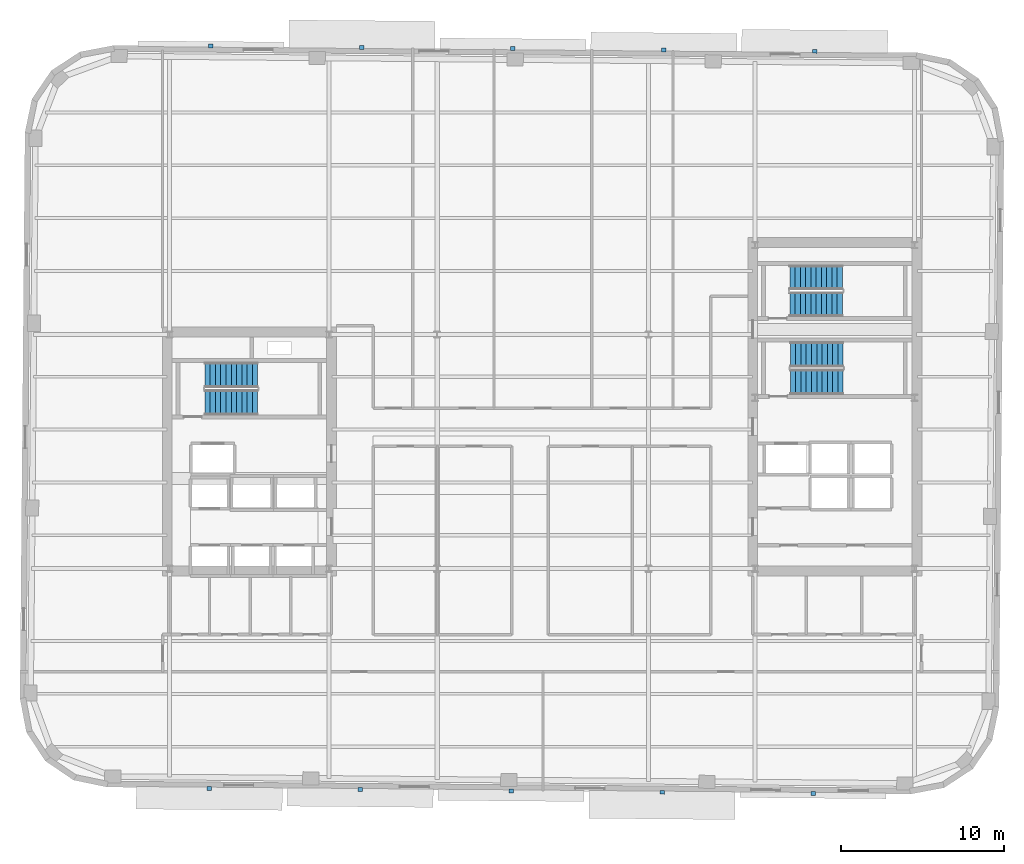
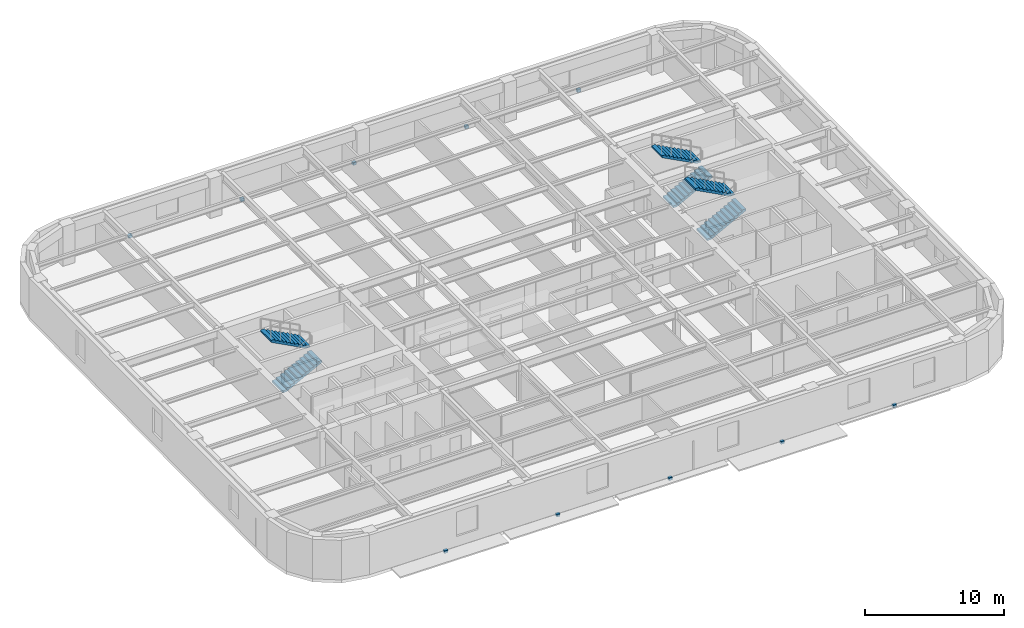
# One storey, part 7 of 11: 10 discrete accessories, 6 stair flights, 3 elements without a shape of their own.
"""IFC4 building model written with IfcOpenShell, lengths in metres."""

from ifc_helpers import new_model, si_unit, direction, frame, origin, origin_2d, place, context, subcontext, project, spatial, polyline, rectangle, outline, extrude, material, type_object, element, aggregate, save


model = new_model("IFC4")

# Units and contexts
model_context = context("Model", 3, precision=1e-05, world=origin(), true_north=direction((0.0, 1.0)))
body_context = subcontext(model_context, "Body", "Model", "MODEL_VIEW")
ifc_project = project(units=[si_unit("LENGTHUNIT", "METRE"), si_unit("AREAUNIT", "SQUARE_METRE"), si_unit("VOLUMEUNIT", "CUBIC_METRE"), si_unit("PLANEANGLEUNIT", "RADIAN"), si_unit("MASSUNIT", "GRAM", prefix="KILO")], contexts=[model_context])

# Site, building, storey
site_placement = place(None, origin())
site = spatial("IfcSite", under=ifc_project, at=site_placement, CompositionType="ELEMENT")
building_placement = place(site_placement, origin())
building = spatial("IfcBuilding", under=site, at=building_placement, Name="Kolvaren Arena Tower", CompositionType="ELEMENT")
storey_placement = place(building_placement, frame((0.0, 0.0, 180.949951171875)))
storey = spatial("IfcBuildingStorey", under=building, at=storey_placement, Name="L43", CompositionType="ELEMENT", Elevation=180.949951171875)

# Stair, stair flights
ifc_material_1 = material(Name="Concrete 45 MPa", Category="concrete")
stair_type_1 = type_object("IfcStairType", Name="STAIR-CORE-150", PredefinedType="HALF_TURN_STAIR", material=ifc_material_1)
stair_1_placement = place(storey_placement, origin())
stair_1 = element("IfcStair", 1, at=stair_1_placement, inside=storey, type_object=stair_type_1, Name="L43 ST-E2", PredefinedType="HALF_TURN_STAIR")
stair_flight_type_1 = type_object("IfcStairFlightType", Name="FLT-150", PredefinedType="STRAIGHT", material=ifc_material_1)
stair_flight_1_placement = place(storey_placement, frame((52.679931640625, 35.699951171875, 0.0), z_axis=(0.0, 0.0, 1.0), x_axis=(1.0, 0.0, 0.0)))
stair_flight_1 = element("IfcStairFlight", 2, at=stair_flight_1_placement, type_object=stair_flight_type_1, Name="ST-E2 flight 1", NumberOfRisers=11, NumberOfTreads=10, PredefinedType="STRAIGHT", RiserHeight=0.170454545, TreadLength=0.324, context=body_context, shape_type="SweptSolid", body=[
    extrude(outline(polyline([(0.0, 0.0), (0.0, 0.17041015625), (0.323974609375, 0.17041015625), (0.323974609375, 0.3408203125), (0.64794921875, 0.3408203125), (0.64794921875, 0.511474609375), (0.971923828125, 0.511474609375), (0.971923828125, 0.681884765625), (1.2958984375, 0.681884765625), (1.2958984375, 0.852294921875), (1.6201171875, 0.852294921875), (1.6201171875, 1.022705078125), (1.944091796875, 1.022705078125), (1.944091796875, 1.193115234375), (2.26806640625, 1.193115234375), (2.26806640625, 1.363525390625), (2.592041015625, 1.363525390625), (2.592041015625, 1.5341796875), (2.916015625, 1.5341796875), (2.916015625, 1.70458984375), (3.239990234375, 1.70458984375), (3.239990234375, 1.875), (3.239990234375, 1.53515625), (0.322021484375, 0.0), (0.0, 0.0)])), frame((0.0, 0.75, 0.0), z_axis=(0.0, -1.0, 0.0), x_axis=(1.0, 0.0, 0.0)), (0.0, 0.0, 1.0), 1.5),
])
stair_flight_2_placement = place(storey_placement, frame((55.919921875, 37.35009765625, 1.875), z_axis=(0.0, 0.0, 1.0), x_axis=(-1.0, 0.0, 0.0)))
stair_flight_2 = element("IfcStairFlight", 3, at=stair_flight_2_placement, type_object=stair_flight_type_1, Name="ST-E2 flight 2", NumberOfRisers=11, NumberOfTreads=10, PredefinedType="STRAIGHT", RiserHeight=0.170454545, TreadLength=0.324, context=body_context, shape_type="SweptSolid", body=[
    extrude(outline(polyline([(0.0, 0.0), (0.0, 0.17041015625), (0.323974609375, 0.17041015625), (0.323974609375, 0.3408203125), (0.64794921875, 0.3408203125), (0.64794921875, 0.511474609375), (0.971923828125, 0.511474609375), (0.971923828125, 0.681884765625), (1.2958984375, 0.681884765625), (1.2958984375, 0.852294921875), (1.6201171875, 0.852294921875), (1.6201171875, 1.022705078125), (1.944091796875, 1.022705078125), (1.944091796875, 1.193115234375), (2.26806640625, 1.193115234375), (2.26806640625, 1.363525390625), (2.592041015625, 1.363525390625), (2.592041015625, 1.5341796875), (2.916015625, 1.5341796875), (2.916015625, 1.70458984375), (3.239990234375, 1.70458984375), (3.239990234375, 1.875), (3.239990234375, 1.53515625), (0.322021484375, 0.0), (0.0, 0.0)])), frame((0.0, 0.75, 0.0), z_axis=(0.0, -1.0, 0.0), x_axis=(1.0, 0.0, 0.0)), (0.0, 0.0, 1.0), 1.5),
])
aggregate(stair_1, [stair_flight_1, stair_flight_2])

stair_type_2 = type_object("IfcStairType", Name="STAIR-CORE-165", PredefinedType="HALF_TURN_STAIR", material=ifc_material_1)
stair_2_placement = place(storey_placement, origin())
stair_2 = element("IfcStair", 4, at=stair_2_placement, inside=storey, type_object=stair_type_2, Name="L43 ST-W1", PredefinedType="HALF_TURN_STAIR")
stair_flight_type_2 = type_object("IfcStairFlightType", Name="FLT-165", PredefinedType="STRAIGHT", material=ifc_material_1)
stair_flight_3_placement = place(storey_placement, frame((16.719970703125, 29.669921875, 0.0), z_axis=(0.0, 0.0, 1.0), x_axis=(1.0, 0.0, 0.0)))
stair_flight_3 = element("IfcStairFlight", 5, at=stair_flight_3_placement, type_object=stair_flight_type_2, Name="ST-W1 flight 1", NumberOfRisers=11, NumberOfTreads=10, PredefinedType="STRAIGHT", RiserHeight=0.170454545, TreadLength=0.324, context=body_context, shape_type="SweptSolid", body=[
    extrude(outline(polyline([(0.0, 0.0), (0.0, 0.17041015625), (0.323974609375, 0.17041015625), (0.323974609375, 0.3408203125), (0.64794921875, 0.3408203125), (0.64794921875, 0.511474609375), (0.971923828125, 0.511474609375), (0.971923828125, 0.681884765625), (1.2958984375, 0.681884765625), (1.2958984375, 0.852294921875), (1.6201171875, 0.852294921875), (1.6201171875, 1.022705078125), (1.944091796875, 1.022705078125), (1.944091796875, 1.193115234375), (2.26806640625, 1.193115234375), (2.26806640625, 1.363525390625), (2.592041015625, 1.363525390625), (2.592041015625, 1.5341796875), (2.916015625, 1.5341796875), (2.916015625, 1.70458984375), (3.239990234375, 1.70458984375), (3.239990234375, 1.875), (3.239990234375, 1.53515625), (0.322021484375, 0.0), (0.0, 0.0)])), frame((0.0, 0.77001953125, 0.0), z_axis=(0.0, -1.0, 0.0), x_axis=(1.0, 0.0, 0.0)), (0.0, 0.0, 1.0), 1.5400390625),
])
stair_flight_4_placement = place(storey_placement, frame((19.9599609375, 31.360107421875, 1.875), z_axis=(0.0, 0.0, 1.0), x_axis=(-1.0, 0.0, 0.0)))
stair_flight_4 = element("IfcStairFlight", 6, at=stair_flight_4_placement, type_object=stair_flight_type_2, Name="ST-W1 flight 2", NumberOfRisers=11, NumberOfTreads=10, PredefinedType="STRAIGHT", RiserHeight=0.170454545, TreadLength=0.324, context=body_context, shape_type="SweptSolid", body=[
    extrude(outline(polyline([(0.0, 0.0), (0.0, 0.17041015625), (0.323974609375, 0.17041015625), (0.323974609375, 0.3408203125), (0.64794921875, 0.3408203125), (0.64794921875, 0.511474609375), (0.971923828125, 0.511474609375), (0.971923828125, 0.681884765625), (1.2958984375, 0.681884765625), (1.2958984375, 0.852294921875), (1.6201171875, 0.852294921875), (1.6201171875, 1.022705078125), (1.944091796875, 1.022705078125), (1.944091796875, 1.193115234375), (2.26806640625, 1.193115234375), (2.26806640625, 1.363525390625), (2.592041015625, 1.363525390625), (2.592041015625, 1.5341796875), (2.916015625, 1.5341796875), (2.916015625, 1.70458984375), (3.239990234375, 1.70458984375), (3.239990234375, 1.875), (3.239990234375, 1.53515625), (0.322021484375, 0.0), (0.0, 0.0)])), frame((0.0, 0.77001953125, 0.0), z_axis=(0.0, -1.0, 0.0), x_axis=(1.0, 0.0, 0.0)), (0.0, 0.0, 1.0), 1.5400390625),
])
aggregate(stair_2, [stair_flight_3, stair_flight_4])

stair_3_placement = place(storey_placement, origin())
stair_3 = element("IfcStair", 7, at=stair_3_placement, inside=storey, type_object=stair_type_2, Name="L43 ST-E1", PredefinedType="HALF_TURN_STAIR")
stair_flight_5_placement = place(storey_placement, frame((52.719970703125, 30.919921875, 0.0), z_axis=(0.0, 0.0, 1.0), x_axis=(1.0, 0.0, 0.0)))
stair_flight_5 = element("IfcStairFlight", 8, at=stair_flight_5_placement, type_object=stair_flight_type_2, Name="ST-E1 flight 1", NumberOfRisers=11, NumberOfTreads=10, PredefinedType="STRAIGHT", RiserHeight=0.170454545, TreadLength=0.324, context=body_context, shape_type="SweptSolid", body=[
    extrude(outline(polyline([(0.0, 0.0), (0.0, 0.17041015625), (0.323974609375, 0.17041015625), (0.323974609375, 0.3408203125), (0.64794921875, 0.3408203125), (0.64794921875, 0.511474609375), (0.971923828125, 0.511474609375), (0.971923828125, 0.681884765625), (1.2958984375, 0.681884765625), (1.2958984375, 0.852294921875), (1.6201171875, 0.852294921875), (1.6201171875, 1.022705078125), (1.944091796875, 1.022705078125), (1.944091796875, 1.193115234375), (2.26806640625, 1.193115234375), (2.26806640625, 1.363525390625), (2.592041015625, 1.363525390625), (2.592041015625, 1.5341796875), (2.916015625, 1.5341796875), (2.916015625, 1.70458984375), (3.239990234375, 1.70458984375), (3.239990234375, 1.875), (3.239990234375, 1.53515625), (0.322021484375, 0.0), (0.0, 0.0)])), frame((0.0, 0.77001953125, 0.0), z_axis=(0.0, -1.0, 0.0), x_axis=(1.0, 0.0, 0.0)), (0.0, 0.0, 1.0), 1.5400390625),
])
stair_flight_6_placement = place(storey_placement, frame((55.9599609375, 32.610107421875, 1.875), z_axis=(0.0, 0.0, 1.0), x_axis=(-1.0, 0.0, 0.0)))
stair_flight_6 = element("IfcStairFlight", 9, at=stair_flight_6_placement, type_object=stair_flight_type_2, Name="ST-E1 flight 2", NumberOfRisers=11, NumberOfTreads=10, PredefinedType="STRAIGHT", RiserHeight=0.170454545, TreadLength=0.324, context=body_context, shape_type="SweptSolid", body=[
    extrude(outline(polyline([(0.0, 0.0), (0.0, 0.17041015625), (0.323974609375, 0.17041015625), (0.323974609375, 0.3408203125), (0.64794921875, 0.3408203125), (0.64794921875, 0.511474609375), (0.971923828125, 0.511474609375), (0.971923828125, 0.681884765625), (1.2958984375, 0.681884765625), (1.2958984375, 0.852294921875), (1.6201171875, 0.852294921875), (1.6201171875, 1.022705078125), (1.944091796875, 1.022705078125), (1.944091796875, 1.193115234375), (2.26806640625, 1.193115234375), (2.26806640625, 1.363525390625), (2.592041015625, 1.363525390625), (2.592041015625, 1.5341796875), (2.916015625, 1.5341796875), (2.916015625, 1.70458984375), (3.239990234375, 1.70458984375), (3.239990234375, 1.875), (3.239990234375, 1.53515625), (0.322021484375, 0.0), (0.0, 0.0)])), frame((0.0, 0.77001953125, 0.0), z_axis=(0.0, -1.0, 0.0), x_axis=(1.0, 0.0, 0.0)), (0.0, 0.0, 1.0), 1.5400390625),
])
aggregate(stair_3, [stair_flight_5, stair_flight_6])

# Discrete accessories
ifc_material_2 = material(Name="Stainless steel facade support bracket", Category="steel")
discrete_accessory_type = type_object("IfcDiscreteAccessoryType", Name="ACC-BRKT-1", PredefinedType="BRACKET", material=ifc_material_2)
for number, where, z_axis, x_axis, name in (
    (10, (17.08984375, 51.58251953125, -0.18017578125), (0.0, 0.0, 1.0), (0.999961923064, -0.008726535498, 0.0), "Sunshade Support Bracket (L43)"),
    (11, (26.369384765625, 51.50146484375, -0.18017578125), (0.0, 0.0, 1.0), (0.999961923064, -0.008726535498, 0.0), "Sunshade Support Bracket (L43)"),
    (12, (35.649169921875, 51.42041015625, -0.18017578125), (0.0, 0.0, 1.0), (0.999961923064, -0.008726535498, 0.0), "Sunshade Support Bracket (L43)"),
    (13, (44.9287109375, 51.339599609375, -0.18017578125), (0.0, 0.0, 1.0), (0.999961923064, -0.008726535498, 0.0), "Sunshade Support Bracket (L43)"),
    (14, (54.20849609375, 51.258544921875, -0.18017578125), (0.0, 0.0, 1.0), (0.999961923064, -0.008726535498, 0.0), "Sunshade Support Bracket (L43)"),
    (15, (54.110107421875, 5.61767578125, -0.18017578125), (0.0, 0.0, 1.0), (-0.999961923064, 0.008726535498, 0.0), "Sunshade Support Bracket (L43)"),
    (16, (44.83056640625, 5.698486328125, -0.18017578125), (0.0, 0.0, 1.0), (-0.999961923064, 0.008726535498, 0.0), "Sunshade Support Bracket (L43)"),
    (17, (35.55078125, 5.779541015625, -0.18017578125), (0.0, 0.0, 1.0), (-0.999961923064, 0.008726535498, 0.0), "Sunshade Support Bracket (L43)"),
    (18, (26.271240234375, 5.860595703125, -0.18017578125), (0.0, 0.0, 1.0), (-0.999961923064, 0.008726535498, 0.0), "Sunshade Support Bracket (L43)"),
    (19, (16.99169921875, 5.94140625, -0.18017578125), (0.0, 0.0, 1.0), (-0.999961923064, 0.008726535498, 0.0), "Sunshade Support Bracket (L43)"),
):
    element("IfcDiscreteAccessory", number, at=place(storey_placement, frame(where, z_axis=z_axis, x_axis=x_axis)), inside=storey, type_object=discrete_accessory_type, Name=name, PredefinedType="BRACKET", context=body_context, shape_type="SweptSolid", body=[
        extrude(rectangle(XDim=0.280029296875, YDim=0.239990234375, at=origin_2d()), origin(), (0.0, 0.0, 1.0), 0.239990234375),
    ])

save(model, "model.ifc")
